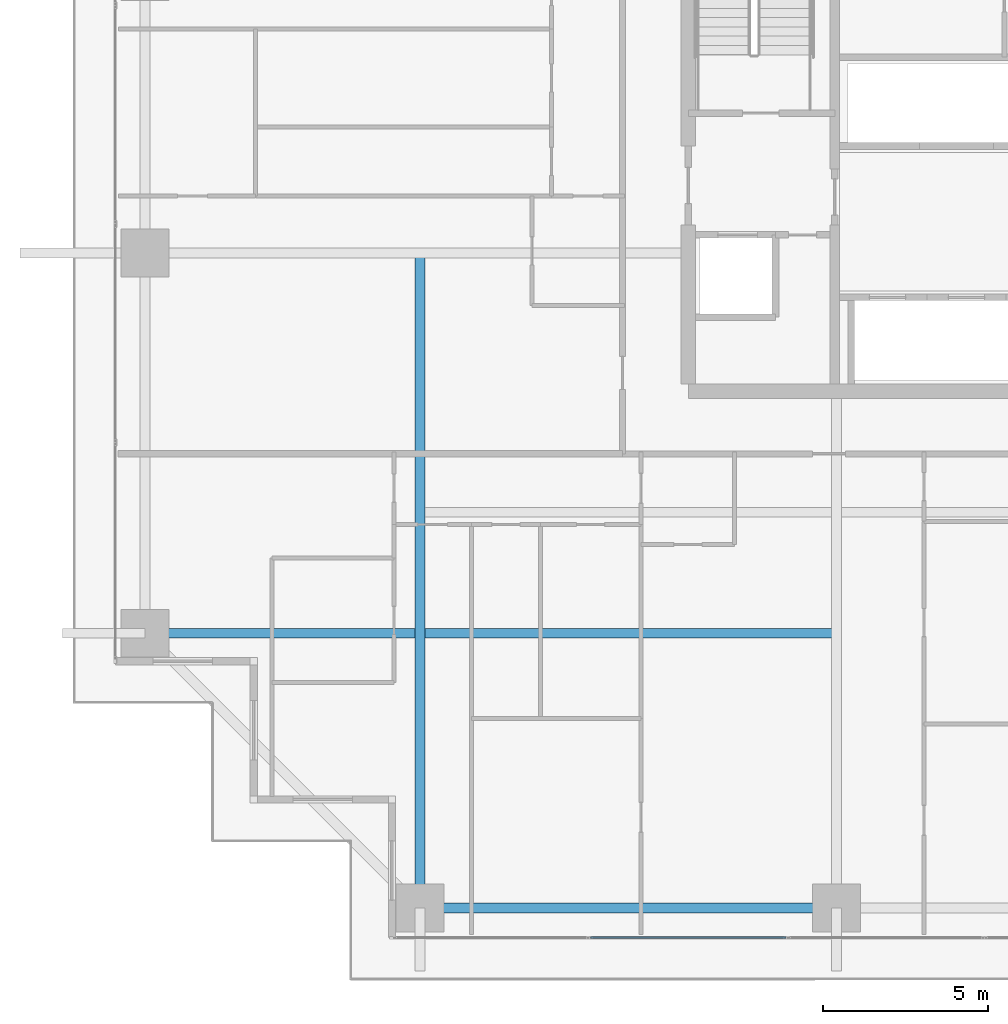
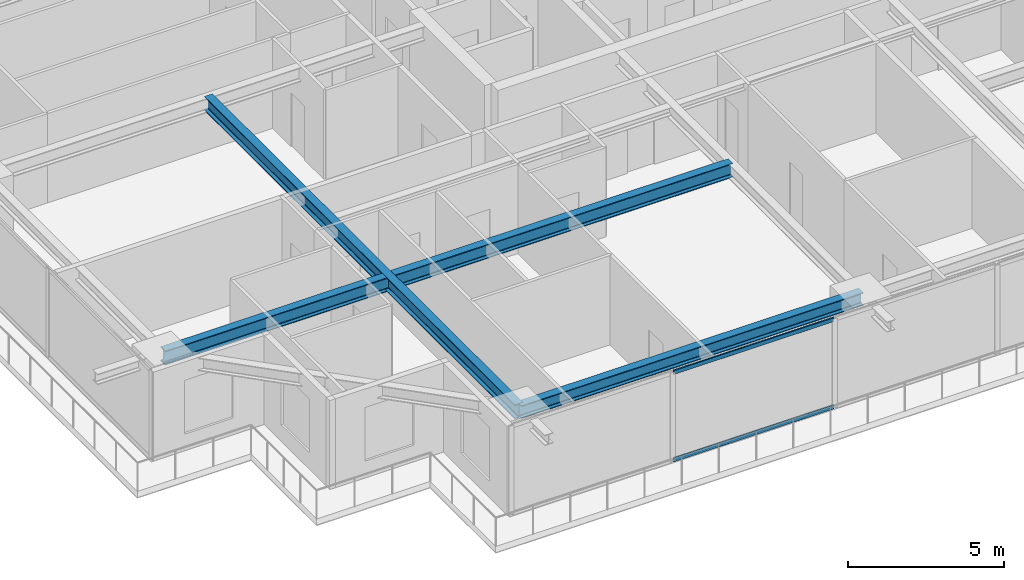
# One storey, part 4 of 38: 3 beams, 2 members, 1 element without a shape of its own.
"""IFC4 building model written with IfcOpenShell, lengths in metres."""

from ifc_helpers import new_model, si_unit, direction, frame, origin, origin_2d, place, context, subcontext, project, spatial, hollow_rectangle, i_section, extrude, source, transform, mapped, material, layer, layer_set, material_profile, profile_set, type_object, element, aggregate, save


model = new_model("IFC4")

# Units and contexts
model_context = context("Model", 3, precision=1e-05, world=origin(), true_north=direction((0.0, 1.0)))
body_context = subcontext(model_context, "Body", "Model", "MODEL_VIEW")
ifc_project = project(units=[si_unit("LENGTHUNIT", "METRE"), si_unit("AREAUNIT", "SQUARE_METRE"), si_unit("VOLUMEUNIT", "CUBIC_METRE"), si_unit("PLANEANGLEUNIT", "RADIAN"), si_unit("MASSUNIT", "GRAM", prefix="KILO")], contexts=[model_context])

# Site, building, storey
site_placement = place(None, origin())
site = spatial("IfcSite", under=ifc_project, at=site_placement, CompositionType="ELEMENT")
building_placement = place(site_placement, origin())
building = spatial("IfcBuilding", under=site, at=building_placement, Name="Serunith Strait Residences", CompositionType="ELEMENT")
storey_placement = place(building_placement, frame((0.0, 0.0, 82.949951171875)))
storey = spatial("IfcBuildingStorey", under=building, at=storey_placement, Name="L20", CompositionType="ELEMENT", Elevation=82.949951171875)

# Beams
ifc_material_1 = material(Name="Steel S355J2", Category="steel")
ifc_material_profile_1 = material_profile(ifc_material_1, i_section(OverallWidth=0.300048828125, OverallDepth=0.550048828125, WebThickness=0.014892578125, FlangeThickness=0.029052734375, FilletRadius=0.027099609375, at=origin_2d()), Name="HEB 550")
ifc_profile_set_1 = profile_set([ifc_material_profile_1], Name="Steel S355J2")
beam_type_1 = type_object("IfcBeamType", Name="BM-HEB550", PredefinedType="BEAM", material=ifc_profile_set_1)
shared_shape_1 = source(origin(), body_context, "Body", "SweptSolid", [
    extrude(i_section(OverallWidth=0.300048828125, OverallDepth=0.550048828125, WebThickness=0.014892578125, FlangeThickness=0.029052734375, FilletRadius=0.027099609375, at=origin_2d()), origin(), (0.0, 0.0, 1.0), 19.89990234375),
])
beam_1_placement = place(storey_placement, frame((15.25, 21.0, 3.212158203125), z_axis=(0.0, -1.0, 0.0), x_axis=(1.0, 0.0, 0.0)))
element("IfcBeam", 1, at=beam_1_placement, inside=storey, type_object=beam_type_1, Name="L20 Orthogonal Corner Girder TC-S1", PredefinedType="BEAM", context=body_context, shape_type="MappedRepresentation", body=[
    mapped(shared_shape_1, transform((0.0, 0.0, 0.0), scale=1.0)),
])
shared_shape_2 = source(origin(), body_context, "Body", "SweptSolid", [
    extrude(i_section(OverallWidth=0.300048828125, OverallDepth=0.550048828125, WebThickness=0.014892578125, FlangeThickness=0.029052734375, FilletRadius=0.027099609375, at=origin_2d()), origin(), (0.0, 0.0, 1.0), 21.0),
])
beam_2_placement = place(storey_placement, frame((27.89990234375, 9.449951171875, 3.212158203125), z_axis=(-1.0, 0.0, 0.0), x_axis=(0.0, -1.0, 0.0)))
element("IfcBeam", 2, at=beam_2_placement, inside=storey, type_object=beam_type_1, Name="L20 Orthogonal Corner Girder TC-W1", PredefinedType="BEAM", context=body_context, shape_type="MappedRepresentation", body=[
    mapped(shared_shape_2, transform((0.0, 0.0, 0.0), scale=1.0)),
])
ifc_material_profile_2 = material_profile(ifc_material_1, i_section(OverallWidth=0.300048828125, OverallDepth=0.5, WebThickness=0.014404296875, FlangeThickness=0.028076171875, FilletRadius=0.027099609375, at=origin_2d()), Name="HEB 500")
ifc_profile_set_2 = profile_set([ifc_material_profile_2], Name="Steel S355J2")
beam_type_2 = type_object("IfcBeamType", Name="BM-HEB500", PredefinedType="BEAM", material=ifc_profile_set_2)
shared_shape_3 = source(origin(), body_context, "Body", "SweptSolid", [
    extrude(i_section(OverallWidth=0.300048828125, OverallDepth=0.5, WebThickness=0.014404296875, FlangeThickness=0.028076171875, FilletRadius=0.027099609375, at=origin_2d()), origin(), (0.0, 0.0, 1.0), 12.64990234375),
])
beam_3_placement = place(storey_placement, frame((15.25, 1.10009765625, 3.237060546875), z_axis=(1.0, 0.0, 0.0), x_axis=(0.0, 1.0, 0.0)))
element("IfcBeam", 3, at=beam_3_placement, inside=storey, type_object=beam_type_2, Name="L20 Perimeter Ring Beam 01", PredefinedType="BEAM", context=body_context, shape_type="MappedRepresentation", body=[
    mapped(shared_shape_3, transform((0.0, 0.0, 0.0), scale=1.0)),
])

# Curtain wall, members
ifc_material_2 = material(Name="Pale-Champagne Anodised Aluminium", Category="aluminium")
ifc_layer = layer(ifc_material_2, 0.199951171875, Name="Pale-Champagne Anodised Aluminium")
ifc_layer_set = layer_set([ifc_layer], Name="Pale-Champagne Anodised Aluminium")
curtain_wall_type = type_object("IfcCurtainWallType", Name="CW-SYS1", PredefinedType="NOTDEFINED", material=ifc_layer_set)
curtain_wall_placement = place(storey_placement, origin())
curtain_wall = element("IfcCurtainWall", 4, at=curtain_wall_placement, inside=storey, type_object=curtain_wall_type, Name="L20 S Unitised Fritted Curtain Wall", PredefinedType="NOTDEFINED")
ifc_material_profile_3 = material_profile(ifc_material_2, hollow_rectangle(XDim=0.06005859375, YDim=0.159912109375, WallThickness=0.00341796875, InnerFilletRadius=0.00537109375, OuterFilletRadius=0.0087890625, at=origin_2d()), Name="ALU 160x60x3.5")
ifc_profile_set_3 = profile_set([ifc_material_profile_3], Name="Pale-Champagne Anodised Aluminium")
member_type = type_object("IfcMemberType", Name="CW-SYS1-TRAN", PredefinedType="USERDEFINED", material=ifc_profile_set_3)
shared_shape_4 = source(origin(), body_context, "Body", "SweptSolid", [
    extrude(hollow_rectangle(XDim=0.06005859375, YDim=0.159912109375, WallThickness=0.00341796875, InnerFilletRadius=0.00537109375, OuterFilletRadius=0.0087890625, at=origin_2d()), origin(), (0.0, 0.0, 1.0), 5.929931640625),
])
member_1_placement = place(storey_placement, frame((20.43505859375, 0.199951171875, 0.030029296875), z_axis=(1.0, 0.0, 0.0), x_axis=(0.0, 1.0, 0.0)))
member_1 = element("IfcMember", 5, at=member_1_placement, type_object=member_type, Name="CW-1 transom 2.1", ObjectType="TRANSOM", PredefinedType="USERDEFINED", context=body_context, shape_type="MappedRepresentation", body=[
    mapped(shared_shape_4, transform((0.0, 0.0, 0.0), scale=1.0)),
])
member_2_placement = place(storey_placement, frame((20.43505859375, 0.199951171875, 3.445068359375), z_axis=(1.0, 0.0, 0.0), x_axis=(0.0, 1.0, 0.0)))
member_2 = element("IfcMember", 6, at=member_2_placement, type_object=member_type, Name="CW-1 transom 2.2", ObjectType="TRANSOM", PredefinedType="USERDEFINED", context=body_context, shape_type="MappedRepresentation", body=[
    mapped(shared_shape_4, transform((0.0, 0.0, 0.0), scale=1.0)),
])
aggregate(curtain_wall, [member_1, member_2])

save(model, "model.ifc")
